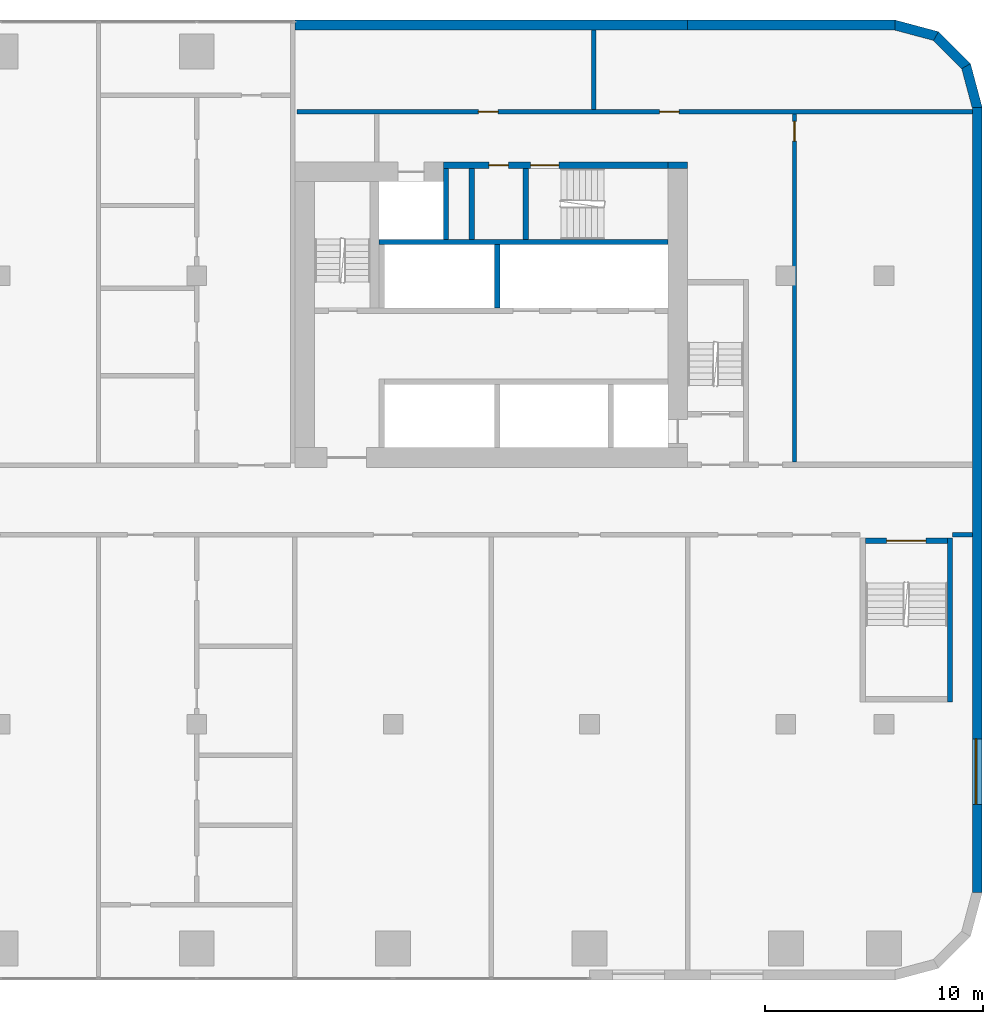
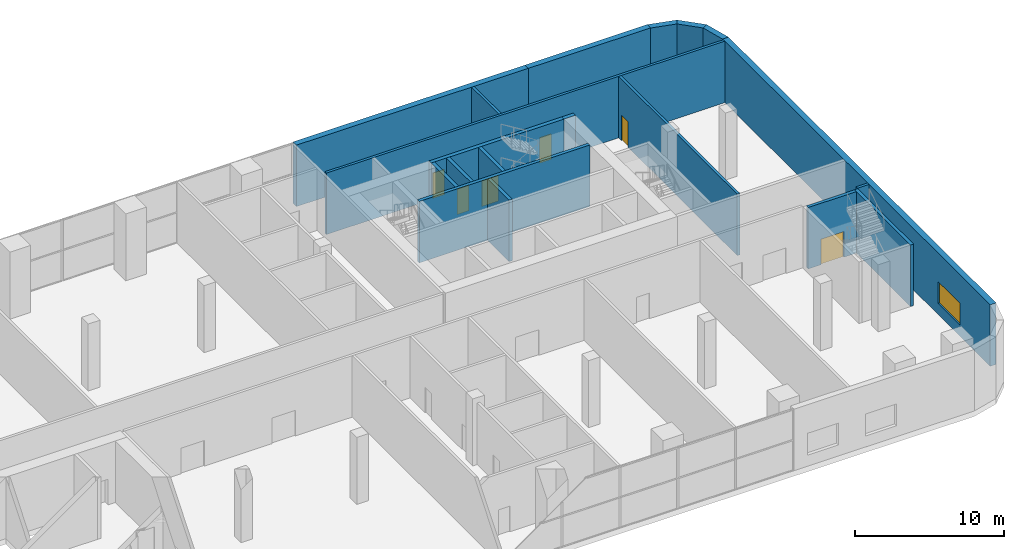
# One storey, part 13 of 21: 19 walls, 6 doors, 1 window, 7 openings.
"""IFC4 building model written with IfcOpenShell, lengths in metres."""

from ifc_helpers import new_model, si_unit, direction, frame, frame_2d, origin, place, context, subcontext, project, spatial, polyline, rectangle, outline, extrude, material, layer, layer_set, type_object, element, fill, save


model = new_model("IFC4")

# Units and contexts
model_context = context("Model", 3, precision=1e-05, world=origin(), true_north=direction((0.0, 1.0)))
body_context = subcontext(model_context, "Body", "Model", "MODEL_VIEW")
ifc_project = project(units=[si_unit("LENGTHUNIT", "METRE"), si_unit("AREAUNIT", "SQUARE_METRE"), si_unit("VOLUMEUNIT", "CUBIC_METRE"), si_unit("PLANEANGLEUNIT", "RADIAN"), si_unit("MASSUNIT", "GRAM", prefix="KILO")], contexts=[model_context])

# Site, building, storey
site_placement = place(None, origin())
site = spatial("IfcSite", under=ifc_project, at=site_placement, CompositionType="ELEMENT")
building_placement = place(site_placement, origin())
building = spatial("IfcBuilding", under=site, at=building_placement, Name="Kajstack Hotel Tower", CompositionType="ELEMENT")
storey_placement = place(building_placement, frame((0.0, 0.0, 23.5)))
storey = spatial("IfcBuildingStorey", under=building, at=storey_placement, Name="L03", CompositionType="ELEMENT", Elevation=23.5)

# Walls
ifc_material_1 = material(Name="Concrete C60/75", Category="concrete")
ifc_layer_1 = layer(ifc_material_1, 0.89990234375)
ifc_layer_set_1 = layer_set([ifc_layer_1], Name="Core wall 900")
wall_type_1 = type_object("IfcWallType", Name="Core wall 900", PredefinedType="SHEAR", material=ifc_layer_set_1)
wall_1_placement = place(storey_placement, frame((30.60009765625, 15.35009765625, 0.0), z_axis=(0.0, 0.0, 1.0), x_axis=(1.0, 0.0, 0.0)))
element("IfcWall", 1, at=wall_1_placement, inside=storey, type_object=wall_type_1, Name="Core wall E RSW", PredefinedType="SHEAR", context=body_context, shape_type="SweptSolid", body=[
    extrude(rectangle(XDim=0.89990234375, YDim=0.300048828125, at=frame_2d((0.449951171875, 0.0))), origin(), (0.0, 0.0, 1.0), 5.050048828125),
])
ifc_material_2 = material(Name="Concrete C40/50", Category="concrete")
ifc_layer_2 = layer(ifc_material_2, 0.449951171875)
ifc_layer_set_2 = layer_set([ifc_layer_2], Name="EW-CORE")
wall_type_2 = type_object("IfcWallType", Name="EW-CORE", PredefinedType="SOLIDWALL", material=ifc_layer_set_2)
wall_2_placement = place(storey_placement, frame((31.5, 21.77490234375, 0.0), z_axis=(0.0, 0.0, 1.0), x_axis=(-1.0, 0.0, 0.0)))
element("IfcWall", 2, at=wall_2_placement, inside=storey, type_object=wall_type_2, Name="E-wall-L03-11-01", PredefinedType="SOLIDWALL", context=body_context, shape_type="SweptSolid", body=[
    extrude(rectangle(XDim=18.0, YDim=0.449951171875, at=frame_2d((9.0, 0.0))), origin(), (0.0, 0.0, 1.0), 5.050048828125),
])

# Wall, opening, window
ifc_material_3 = material(Name="Terracotta-faced brick masonry", Category="masonry")
ifc_layer_3 = layer(ifc_material_3, 0.449951171875)
ifc_layer_set_3 = layer_set([ifc_layer_3], Name="EW-TERRA")
wall_type_3 = type_object("IfcWallType", Name="EW-TERRA", PredefinedType="SOLIDWALL", material=ifc_layer_set_3)
wall_3_placement = place(storey_placement, frame((44.77490234375, -18.0, 0.0), z_axis=(0.0, 0.0, 1.0), x_axis=(0.0, 1.0, 0.0)))
wall_3 = element("IfcWall", 3, at=wall_3_placement, inside=storey, type_object=wall_type_3, Name="E-wall-L03-07-00", PredefinedType="SOLIDWALL", context=body_context, shape_type="SweptSolid", body=[
    extrude(rectangle(XDim=36.0, YDim=0.449951171875, at=frame_2d((18.0, 0.0))), origin(), (0.0, 0.0, 1.0), 5.050048828125),
])
opening_1_placement = place(wall_3_placement, frame((4.050048828125, 0.0, 0.89990234375)))
opening_1 = element("IfcOpeningElement", 4, at=opening_1_placement, cuts=wall_3, Name="Opening W5", PredefinedType="OPENING", context=body_context, shape_type="SweptSolid", body=[
    extrude(rectangle(XDim=3.0, YDim=1.800048828125, at=frame_2d((1.5, 0.89990234375))), frame((0.0, 0.23486328125, 0.0), z_axis=(0.0, -1.0, 0.0), x_axis=(1.0, 0.0, 0.0)), (0.0, 0.0, 1.0), 0.469970703125),
])
ifc_material_4 = material(Name="Timber-aluminium window, triple glazed", Category="wood")
window_type = type_object("IfcWindowType", Name="WP2", PartitioningType="SINGLE_PANEL", PredefinedType="WINDOW", material=ifc_material_4)
window_placement = place(opening_1_placement, origin())
window = element("IfcWindow", 5, at=window_placement, inside=storey, type_object=window_type, Name="Window W5 L03-07", OverallHeight=1.800048828125, OverallWidth=3.0, PartitioningType="SINGLE_PANEL", PredefinedType="WINDOW", context=body_context, shape_type="SweptSolid", body=[
    extrude(rectangle(XDim=3.0, YDim=1.800048828125, at=frame_2d((1.5, 0.89990234375))), frame((0.0, 0.090087890625, 0.0), z_axis=(0.0, -1.0, 0.0), x_axis=(1.0, 0.0, 0.0)), (0.0, 0.0, 1.0), 0.06005859375),
])
fill(opening_1, window)

# Walls
wall_4_placement = place(storey_placement, frame((44.78271484375, 17.941650390625, 0.0), z_axis=(0.0, 0.0, 1.0), x_axis=(-0.25881466832, 0.965926999034, 0.0)))
element("IfcWall", 6, at=wall_4_placement, inside=storey, type_object=wall_type_3, Name="E-wall-L03-08-00", PredefinedType="SOLIDWALL", context=body_context, shape_type="SweptSolid", body=[
    extrude(outline(polyline([(0.000244140625, -0.22509765625), (2.070556640625, -0.224853515625), (1.9501953125, 0.22509765625), (0.12060546875, 0.22509765625), (0.000244140625, -0.22509765625)])), origin(), (0.0, 0.0, 1.0), 5.050048828125),
])
wall_5_placement = place(storey_placement, frame((44.304931640625, 19.8408203125, 0.0), z_axis=(0.0, 0.0, 1.0), x_axis=(-0.707106781187, 0.707106781187, 0.0)))
element("IfcWall", 7, at=wall_5_placement, inside=storey, type_object=wall_type_3, Name="E-wall-L03-09-00", PredefinedType="SOLIDWALL", context=body_context, shape_type="SweptSolid", body=[
    extrude(outline(polyline([(0.0, -0.22509765625), (2.070556640625, -0.22509765625), (1.949951171875, 0.224853515625), (0.12060546875, 0.224853515625), (0.0, -0.22509765625)])), origin(), (0.0, 0.0, 1.0), 5.050048828125),
])
wall_6_placement = place(storey_placement, frame((42.941650390625, 21.246826171875, 0.0), z_axis=(0.0, 0.0, 1.0), x_axis=(-0.965926999034, 0.25881466832, 0.0)))
element("IfcWall", 8, at=wall_6_placement, inside=storey, type_object=wall_type_3, Name="E-wall-L03-10-00", PredefinedType="SOLIDWALL", context=body_context, shape_type="SweptSolid", body=[
    extrude(outline(polyline([(-0.000244140625, -0.224853515625), (2.0703125, -0.22509765625), (1.949951171875, 0.22509765625), (0.120361328125, 0.22509765625), (-0.000244140625, -0.224853515625)])), origin(), (0.0, 0.0, 1.0), 5.050048828125),
])
wall_7_placement = place(storey_placement, frame((41.0, 21.77490234375, 0.0), z_axis=(0.0, 0.0, 1.0), x_axis=(-1.0, 0.0, 0.0)))
element("IfcWall", 9, at=wall_7_placement, inside=storey, type_object=wall_type_3, Name="E-wall-L03-11-00", PredefinedType="SOLIDWALL", context=body_context, shape_type="SweptSolid", body=[
    extrude(rectangle(XDim=9.5, YDim=0.449951171875, at=frame_2d((4.75, 0.0))), origin(), (0.0, 0.0, 1.0), 5.050048828125),
])
ifc_material_5 = material(Name="Concrete C50/60", Category="concrete")
ifc_layer_4 = layer(ifc_material_5, 0.300048828125)
ifc_layer_set_4 = layer_set([ifc_layer_4], Name="Hoistway divider wall 300")
wall_type_4 = type_object("IfcWallType", Name="Hoistway divider wall 300", PredefinedType="SHEAR", material=ifc_layer_set_4)
wall_8_placement = place(storey_placement, frame((22.77490234375, 8.800048828125, 0.0), z_axis=(0.0, 0.0, 1.0), x_axis=(0.0, 1.0, 0.0)))
element("IfcWall", 10, at=wall_8_placement, inside=storey, type_object=wall_type_4, Name="Core wall E BP2", PredefinedType="SHEAR", context=body_context, shape_type="SweptSolid", body=[
    extrude(rectangle(XDim=2.89990234375, YDim=0.25, at=frame_2d((1.449951171875, 0.0))), origin(), (0.0, 0.0, 1.0), 5.050048828125),
])
ifc_material_6 = material(Name="Gypsum board on steel studs, mineral wool", Category="steel")
ifc_layer_5 = layer(ifc_material_6, 0.199951171875)
ifc_layer_set_5 = layer_set([ifc_layer_5], Name="Public partition 200")
wall_type_5 = type_object("IfcWallType", Name="Public partition 200", PredefinedType="PARTITIONING", material=ifc_layer_set_5)
wall_9_placement = place(storey_placement, frame((43.64990234375, -1.60009765625, 0.0), z_axis=(0.0, 0.0, 1.0), x_axis=(1.0, 0.0, 0.0)))
element("IfcWall", 11, at=wall_9_placement, inside=storey, type_object=wall_type_5, Name="Partition SFWW", PredefinedType="PARTITIONING", context=body_context, shape_type="SweptSolid", body=[
    extrude(rectangle(XDim=0.900146484375, YDim=0.199951171875, at=frame_2d((0.4501953125, 0.0))), origin(), (0.0, 0.0, 1.0), 5.050048828125),
])
ifc_material_7 = material(Name="Concrete block masonry", Category="masonry")
ifc_layer_6 = layer(ifc_material_7, 0.25)
ifc_layer_set_6 = layer_set([ifc_layer_6], Name="Riser partition 250")
wall_type_6 = type_object("IfcWallType", Name="Riser partition 250", PredefinedType="PARTITIONING", material=ifc_layer_set_6)
wall_10_placement = place(storey_placement, frame((21.60009765625, 11.949951171875, 0.0), z_axis=(0.0, 0.0, 1.0), x_axis=(0.0, 1.0, 0.0)))
element("IfcWall", 12, at=wall_10_placement, inside=storey, type_object=wall_type_6, Name="Partition E SZ0", PredefinedType="PARTITIONING", context=body_context, shape_type="SweptSolid", body=[
    extrude(rectangle(XDim=3.25, YDim=0.25, at=frame_2d((1.625, 0.0))), origin(), (0.0, 0.0, 1.0), 5.050048828125),
])

# Wall, opening, door
ifc_layer_7 = layer(ifc_material_6, 0.199951171875)
ifc_layer_set_7 = layer_set([ifc_layer_7], Name="Service partition 200")
wall_type_7 = type_object("IfcWallType", Name="Service partition 200", PredefinedType="PARTITIONING", material=ifc_layer_set_7)
wall_11_placement = place(storey_placement, frame((36.39990234375, 1.75, 0.0), z_axis=(0.0, 0.0, 1.0), x_axis=(0.0, 1.0, 0.0)))
wall_11 = element("IfcWall", 13, at=wall_11_placement, inside=storey, type_object=wall_type_7, Name="Partition E WRE", PredefinedType="PARTITIONING", context=body_context, shape_type="SweptSolid", body=[
    extrude(rectangle(XDim=15.949951171875, YDim=0.199951171875, at=frame_2d((7.97509765625, 0.0))), origin(), (0.0, 0.0, 1.0), 5.050048828125),
])
opening_2_placement = place(wall_11_placement, frame((14.699951171875, 0.0, 0.0)))
opening_2 = element("IfcOpeningElement", 14, at=opening_2_placement, cuts=wall_11, Name="Opening 03E15", PredefinedType="OPENING", context=body_context, shape_type="SweptSolid", body=[
    extrude(rectangle(XDim=0.89990234375, YDim=2.10009765625, at=frame_2d((0.449951171875, 1.050048828125))), frame((0.0, 0.10986328125, 0.0), z_axis=(0.0, -1.0, 0.0), x_axis=(1.0, 0.0, 0.0)), (0.0, 0.0, 1.0), 0.219970703125),
])
ifc_material_8 = material(Name="Timber leaf, fire-rated", Category="wood")
door_type_1 = type_object("IfcDoorType", Name="Service door 900", OperationType="SINGLE_SWING_LEFT", PredefinedType="DOOR", material=ifc_material_8)
door_1_placement = place(opening_2_placement, origin())
door_1 = element("IfcDoor", 15, at=door_1_placement, inside=storey, type_object=door_type_1, Name="Door 03E15", OperationType="SINGLE_SWING_RIGHT", OverallHeight=2.10009765625, OverallWidth=0.89990234375, PredefinedType="DOOR", context=body_context, shape_type="SweptSolid", body=[
    extrude(rectangle(XDim=0.89990234375, YDim=2.10009765625, at=frame_2d((0.449951171875, 1.050048828125))), frame((0.0, 0.02490234375, 0.0), z_axis=(0.0, -1.0, 0.0), x_axis=(1.0, 0.0, 0.0)), (0.0, 0.0, 1.0), 0.050048828125),
])
fill(opening_2, door_1)

# Wall, openings, doors
wall_12_placement = place(storey_placement, frame((13.60009765625, 17.800048828125, 0.0), z_axis=(0.0, 0.0, 1.0), x_axis=(1.0, 0.0, 0.0)))
wall_12 = element("IfcWall", 16, at=wall_12_placement, inside=storey, type_object=wall_type_7, Name="Partition E SLN", PredefinedType="PARTITIONING", context=body_context, shape_type="SweptSolid", body=[
    extrude(rectangle(XDim=30.949951171875, YDim=0.199951171875, at=frame_2d((15.47509765625, 0.0))), origin(), (0.0, 0.0, 1.0), 5.050048828125),
])
opening_3_placement = place(wall_12_placement, frame((16.612548828125, 0.0, 0.0)))
opening_3 = element("IfcOpeningElement", 17, at=opening_3_placement, cuts=wall_12, Name="Opening 03E13", PredefinedType="OPENING", context=body_context, shape_type="SweptSolid", body=[
    extrude(rectangle(XDim=0.89990234375, YDim=2.10009765625, at=frame_2d((0.449951171875, 1.050048828125))), frame((0.0, 0.10986328125, 0.0), z_axis=(0.0, -1.0, 0.0), x_axis=(1.0, 0.0, 0.0)), (0.0, 0.0, 1.0), 0.219970703125),
])
opening_4_placement = place(wall_12_placement, frame((8.3125, 0.0, 0.0)))
opening_4 = element("IfcOpeningElement", 18, at=opening_4_placement, cuts=wall_12, Name="Opening 03E14", PredefinedType="OPENING", context=body_context, shape_type="SweptSolid", body=[
    extrude(rectangle(XDim=0.89990234375, YDim=2.10009765625, at=frame_2d((0.449951171875, 1.050048828125))), frame((0.0, 0.10986328125, 0.0), z_axis=(0.0, -1.0, 0.0), x_axis=(1.0, 0.0, 0.0)), (0.0, 0.0, 1.0), 0.219970703125),
])
door_2_placement = place(opening_3_placement, origin())
door_2 = element("IfcDoor", 19, at=door_2_placement, inside=storey, type_object=door_type_1, Name="Door 03E13", OperationType="SINGLE_SWING_LEFT", OverallHeight=2.10009765625, OverallWidth=0.89990234375, PredefinedType="DOOR", context=body_context, shape_type="SweptSolid", body=[
    extrude(rectangle(XDim=0.89990234375, YDim=2.10009765625, at=frame_2d((0.449951171875, 1.050048828125))), frame((0.0, 0.02490234375, 0.0), z_axis=(0.0, -1.0, 0.0), x_axis=(1.0, 0.0, 0.0)), (0.0, 0.0, 1.0), 0.050048828125),
])
fill(opening_3, door_2)
door_3_placement = place(opening_4_placement, origin())
door_3 = element("IfcDoor", 20, at=door_3_placement, inside=storey, type_object=door_type_1, Name="Door 03E14", OperationType="SINGLE_SWING_LEFT", OverallHeight=2.10009765625, OverallWidth=0.89990234375, PredefinedType="DOOR", context=body_context, shape_type="SweptSolid", body=[
    extrude(rectangle(XDim=0.89990234375, YDim=2.10009765625, at=frame_2d((0.449951171875, 1.050048828125))), frame((0.0, 0.02490234375, 0.0), z_axis=(0.0, -1.0, 0.0), x_axis=(1.0, 0.0, 0.0)), (0.0, 0.0, 1.0), 0.050048828125),
])
fill(opening_4, door_3)

# Wall
wall_13_placement = place(storey_placement, frame((27.199951171875, 17.89990234375, 0.0), z_axis=(0.0, 0.0, 1.0), x_axis=(0.0, 1.0, 0.0)))
element("IfcWall", 21, at=wall_13_placement, inside=storey, type_object=wall_type_7, Name="Partition E SLP0", PredefinedType="PARTITIONING", context=body_context, shape_type="SweptSolid", body=[
    extrude(rectangle(XDim=3.650146484375, YDim=0.199951171875, at=frame_2d((1.8251953125, 0.0))), origin(), (0.0, 0.0, 1.0), 5.050048828125),
])

# Wall, openings, doors
ifc_layer_8 = layer(ifc_material_5, 0.25)
ifc_layer_set_8 = layer_set([ifc_layer_8], Name="Shaft wall 250")
wall_type_8 = type_object("IfcWallType", Name="Shaft wall 250", PredefinedType="SHEAR", material=ifc_layer_set_8)
wall_14_placement = place(storey_placement, frame((20.300048828125, 15.35009765625, 0.0), z_axis=(0.0, 0.0, 1.0), x_axis=(1.0, 0.0, 0.0)))
wall_14 = element("IfcWall", 22, at=wall_14_placement, inside=storey, type_object=wall_type_8, Name="Core wall E RSS", PredefinedType="SHEAR", context=body_context, shape_type="SweptSolid", body=[
    extrude(rectangle(XDim=10.300048828125, YDim=0.300048828125, at=frame_2d((5.14990234375, 0.0))), origin(), (0.0, 0.0, 1.0), 5.050048828125),
])
opening_5_placement = place(wall_14_placement, frame((4.0, 0.0, 0.0)))
opening_5 = element("IfcOpeningElement", 23, at=opening_5_placement, cuts=wall_14, Name="Opening 03E11", PredefinedType="OPENING", context=body_context, shape_type="SweptSolid", body=[
    extrude(rectangle(XDim=1.300048828125, YDim=2.10009765625, at=frame_2d((0.64990234375, 1.050048828125))), frame((0.0, 0.159912109375, 0.0), z_axis=(0.0, -1.0, 0.0), x_axis=(1.0, 0.0, 0.0)), (0.0, 0.0, 1.0), 0.320068359375),
])
opening_6_placement = place(wall_14_placement, frame((2.08740234375, 0.0, 0.0)))
opening_6 = element("IfcOpeningElement", 24, at=opening_6_placement, cuts=wall_14, Name="Opening 03E12", PredefinedType="OPENING", context=body_context, shape_type="SweptSolid", body=[
    extrude(rectangle(XDim=0.89990234375, YDim=2.10009765625, at=frame_2d((0.449951171875, 1.050048828125))), frame((0.0, 0.159912109375, 0.0), z_axis=(0.0, -1.0, 0.0), x_axis=(1.0, 0.0, 0.0)), (0.0, 0.0, 1.0), 0.320068359375),
])
door_4_placement = place(opening_6_placement, origin())
door_4 = element("IfcDoor", 25, at=door_4_placement, inside=storey, type_object=door_type_1, Name="Door 03E12", OperationType="SINGLE_SWING_RIGHT", OverallHeight=2.10009765625, OverallWidth=0.89990234375, PredefinedType="DOOR", context=body_context, shape_type="SweptSolid", body=[
    extrude(rectangle(XDim=0.89990234375, YDim=2.10009765625, at=frame_2d((0.449951171875, 1.050048828125))), frame((0.0, 0.02490234375, 0.0), z_axis=(0.0, -1.0, 0.0), x_axis=(1.0, 0.0, 0.0)), (0.0, 0.0, 1.0), 0.050048828125),
])
fill(opening_6, door_4)
ifc_material_9 = material(Name="Steel leaf, fire-rated", Category="steel")
door_type_2 = type_object("IfcDoorType", Name="Stair door 1300", OperationType="SINGLE_SWING_LEFT", PredefinedType="DOOR", material=ifc_material_9)
door_5_placement = place(opening_5_placement, origin())
door_5 = element("IfcDoor", 26, at=door_5_placement, inside=storey, type_object=door_type_2, Name="Door 03E11", OperationType="SINGLE_SWING_LEFT", OverallHeight=2.10009765625, OverallWidth=1.300048828125, PredefinedType="DOOR", context=body_context, shape_type="SweptSolid", body=[
    extrude(rectangle(XDim=1.300048828125, YDim=2.10009765625, at=frame_2d((0.64990234375, 1.050048828125))), frame((0.0, 0.02490234375, 0.0), z_axis=(0.0, -1.0, 0.0), x_axis=(1.0, 0.0, 0.0)), (0.0, 0.0, 1.0), 0.050048828125),
])
fill(opening_5, door_5)

# Walls
wall_15_placement = place(storey_placement, frame((17.35009765625, 11.824951171875, 0.0), z_axis=(0.0, 0.0, 1.0), x_axis=(1.0, 0.0, 0.0)))
element("IfcWall", 27, at=wall_15_placement, inside=storey, type_object=wall_type_8, Name="Core wall E RB", PredefinedType="SHEAR", context=body_context, shape_type="SweptSolid", body=[
    extrude(rectangle(XDim=13.25, YDim=0.25, at=frame_2d((6.625, 0.0))), origin(), (0.0, 0.0, 1.0), 5.050048828125),
])
wall_16_placement = place(storey_placement, frame((20.425048828125, 11.949951171875, 0.0), z_axis=(0.0, 0.0, 1.0), x_axis=(0.0, 1.0, 0.0)))
element("IfcWall", 28, at=wall_16_placement, inside=storey, type_object=wall_type_8, Name="Core wall E SVW", PredefinedType="SHEAR", context=body_context, shape_type="SweptSolid", body=[
    extrude(rectangle(XDim=3.25, YDim=0.25, at=frame_2d((1.625, 0.0))), origin(), (0.0, 0.0, 1.0), 5.050048828125),
])
ifc_layer_9 = layer(ifc_material_2, 0.25)
ifc_layer_set_9 = layer_set([ifc_layer_9], Name="Stair enclosure wall 250")
wall_type_9 = type_object("IfcWallType", Name="Stair enclosure wall 250", PredefinedType="SHEAR", material=ifc_layer_set_9)
wall_17_placement = place(storey_placement, frame((43.52490234375, -9.25, 0.0), z_axis=(0.0, 0.0, 1.0), x_axis=(0.0, 1.0, 0.0)))
element("IfcWall", 29, at=wall_17_placement, inside=storey, type_object=wall_type_9, Name="Stair wall P2 E", PredefinedType="SHEAR", context=body_context, shape_type="SweptSolid", body=[
    extrude(rectangle(XDim=7.5, YDim=0.25, at=frame_2d((3.75, 0.0))), origin(), (0.0, 0.0, 1.0), 5.050048828125),
])

# Wall, opening, door
wall_18_placement = place(storey_placement, frame((39.64990234375, -1.875, 0.0), z_axis=(0.0, 0.0, 1.0), x_axis=(1.0, 0.0, 0.0)))
wall_18 = element("IfcWall", 30, at=wall_18_placement, inside=storey, type_object=wall_type_9, Name="Stair wall P2 N", PredefinedType="SHEAR", context=body_context, shape_type="SweptSolid", body=[
    extrude(rectangle(XDim=3.75, YDim=0.25, at=frame_2d((1.875, 0.0))), origin(), (0.0, 0.0, 1.0), 5.050048828125),
])
opening_7_placement = place(wall_18_placement, frame((0.97509765625, 0.0, 0.0)))
opening_7 = element("IfcOpeningElement", 31, at=opening_7_placement, cuts=wall_18, Name="Opening 03P2", PredefinedType="OPENING", context=body_context, shape_type="SweptSolid", body=[
    extrude(rectangle(XDim=1.800048828125, YDim=2.10009765625, at=frame_2d((0.89990234375, 1.050048828125))), frame((0.0, 0.135009765625, 0.0), z_axis=(0.0, -1.0, 0.0), x_axis=(1.0, 0.0, 0.0)), (0.0, 0.0, 1.0), 0.27001953125),
])
door_type_3 = type_object("IfcDoorType", Name="Stair door 1800", OperationType="DOUBLE_DOOR_DOUBLE_SWING", PredefinedType="DOOR", material=ifc_material_9)
door_6_placement = place(opening_7_placement, origin())
door_6 = element("IfcDoor", 32, at=door_6_placement, inside=storey, type_object=door_type_3, Name="Door 03P2", OperationType="DOUBLE_DOOR_DOUBLE_SWING", OverallHeight=2.10009765625, OverallWidth=1.800048828125, PredefinedType="DOOR", context=body_context, shape_type="SweptSolid", body=[
    extrude(rectangle(XDim=1.800048828125, YDim=2.10009765625, at=frame_2d((0.89990234375, 1.050048828125))), frame((0.0, 0.02490234375, 0.0), z_axis=(0.0, -1.0, 0.0), x_axis=(1.0, 0.0, 0.0)), (0.0, 0.0, 1.0), 0.050048828125),
])
fill(opening_7, door_6)

# Wall
ifc_layer_10 = layer(ifc_material_5, 0.35009765625)
ifc_layer_set_10 = layer_set([ifc_layer_10], Name="Stair enclosure wall 350")
wall_type_10 = type_object("IfcWallType", Name="Stair enclosure wall 350", PredefinedType="SHEAR", material=ifc_layer_set_10)
wall_19_placement = place(storey_placement, frame((24.074951171875, 11.949951171875, 0.0), z_axis=(0.0, 0.0, 1.0), x_axis=(0.0, 1.0, 0.0)))
element("IfcWall", 33, at=wall_19_placement, inside=storey, type_object=wall_type_10, Name="Core wall E W3E", PredefinedType="SHEAR", context=body_context, shape_type="SweptSolid", body=[
    extrude(rectangle(XDim=3.25, YDim=0.25, at=frame_2d((1.625, 0.0))), origin(), (0.0, 0.0, 1.0), 5.050048828125),
])

save(model, "model.ifc")
